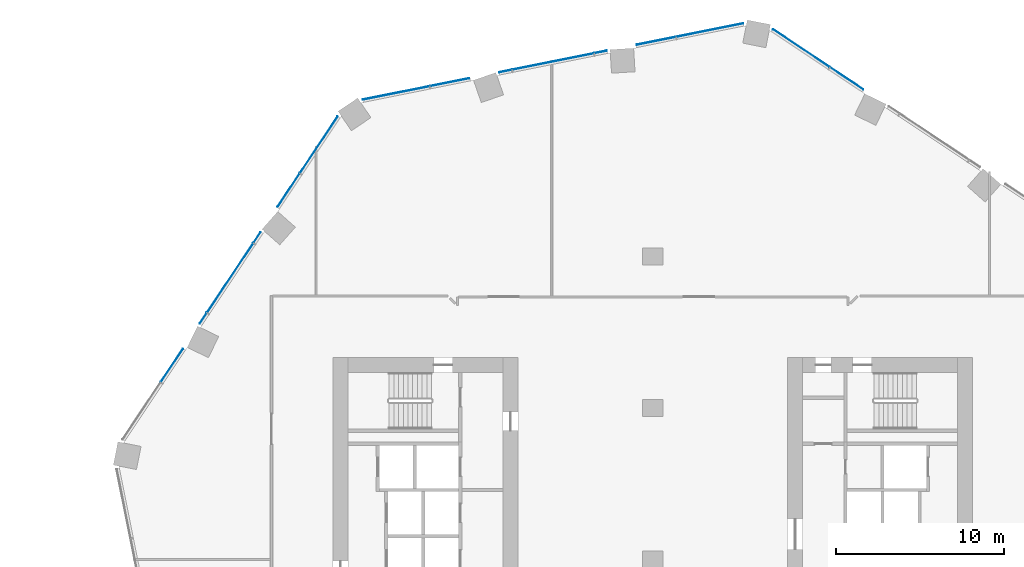
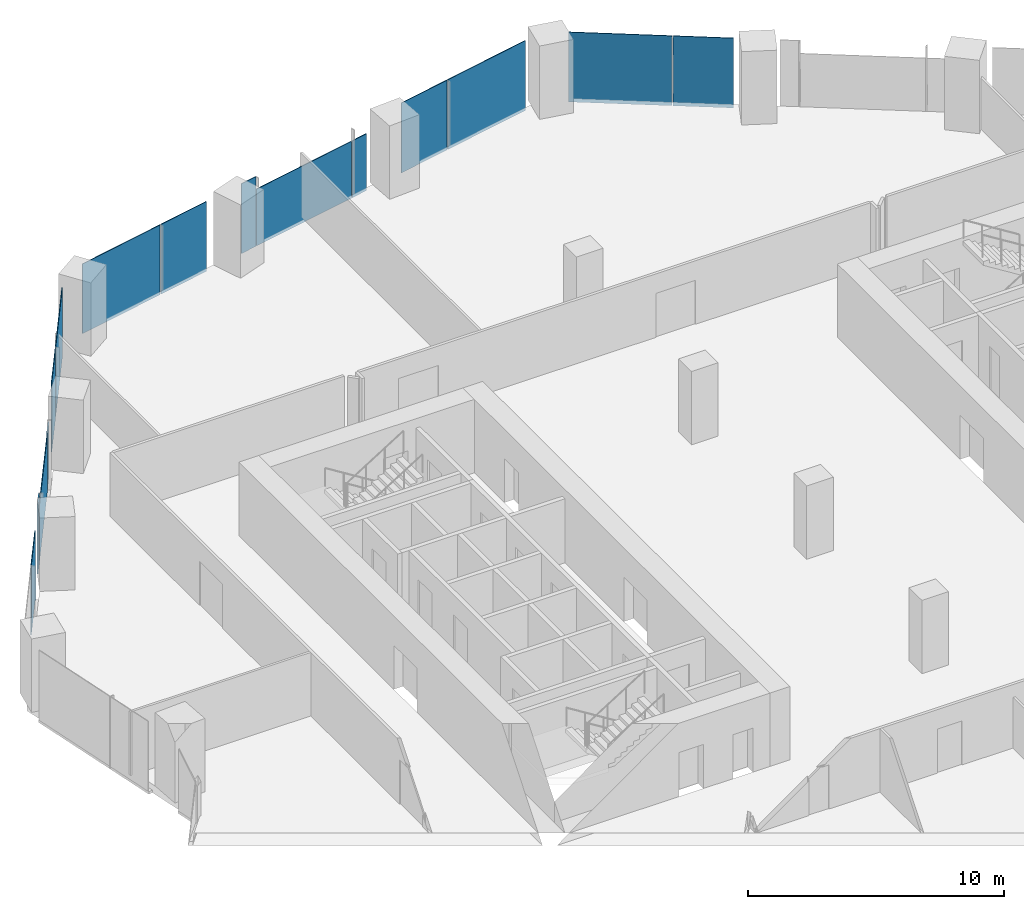
# One storey, part 24 of 38: 15 plates, 3 elements without a shape of their own.
"""IFC4 building model written with IfcOpenShell, lengths in metres."""

from ifc_helpers import new_model, si_unit, direction, frame, origin, origin_2d, place, context, subcontext, project, spatial, rectangle, extrude, material, layer, layer_set, type_object, element, aggregate, save


model = new_model("IFC4")

# Units and contexts
model_context = context("Model", 3, precision=1e-05, world=origin(), true_north=direction((0.0, 1.0)))
body_context = subcontext(model_context, "Body", "Model", "MODEL_VIEW")
ifc_project = project(units=[si_unit("LENGTHUNIT", "METRE"), si_unit("AREAUNIT", "SQUARE_METRE"), si_unit("VOLUMEUNIT", "CUBIC_METRE"), si_unit("PLANEANGLEUNIT", "RADIAN"), si_unit("MASSUNIT", "GRAM", prefix="KILO")], contexts=[model_context])

# Site, building, storey
site_placement = place(None, origin())
site = spatial("IfcSite", under=ifc_project, at=site_placement, CompositionType="ELEMENT")
building_placement = place(site_placement, origin())
building = spatial("IfcBuilding", under=site, at=building_placement, Name="Orlundy Tower", CompositionType="ELEMENT")
storey_placement = place(building_placement, frame((0.0, 0.0, 72.800048828125)))
storey = spatial("IfcBuildingStorey", under=building, at=storey_placement, Name="L17", CompositionType="ELEMENT", Elevation=72.800048828125)

# Curtain wall, plates
ifc_material_1 = material(Name="Aluminium bronze anodised", Category="aluminium")
curtain_wall_type = type_object("IfcCurtainWallType", Name="CW1 wall", PredefinedType="NOTDEFINED", material=ifc_material_1)
curtain_wall_1_placement = place(storey_placement, origin())
curtain_wall_1 = element("IfcCurtainWall", 1, at=curtain_wall_1_placement, inside=storey, type_object=curtain_wall_type, Name="CW1 run 014", PredefinedType="NOTDEFINED")
ifc_material_2 = material(Name="Tinted glass", Category="glass")
ifc_layer = layer(ifc_material_2, 0.031982421875)
ifc_layer_set = layer_set([ifc_layer], Name="CW1 glass panel 32")
plate_type = type_object("IfcPlateType", Name="CW1 glass panel 32", PredefinedType="CURTAIN_PANEL", material=ifc_layer_set)
plate_1_placement = place(storey_placement, frame((-28.57080078125, 11.5185546875, -0.280029296875), z_axis=(0.0, 0.0, 1.0), x_axis=(0.554356579774, 0.832279269513, 0.0)))
plate_1 = element("IfcPlate", 2, at=plate_1_placement, type_object=plate_type, Name="CW1 panel", PredefinedType="CURTAIN_PANEL", context=body_context, shape_type="SweptSolid", body=[
    extrude(rectangle(XDim=2.357666015625, YDim=0.031982421875, at=origin_2d()), origin(), (0.0, 0.0, 1.0), 3.330078125),
])
plate_2_placement = place(storey_placement, frame((-26.703369140625, 14.322265625, -0.280029296875), z_axis=(0.0, 0.0, 1.0), x_axis=(0.554356579774, 0.832279269513, 0.0)))
plate_2 = element("IfcPlate", 3, at=plate_2_placement, type_object=plate_type, Name="CW1 panel", PredefinedType="CURTAIN_PANEL", context=body_context, shape_type="SweptSolid", body=[
    extrude(rectangle(XDim=0.745849609375, YDim=0.031982421875, at=origin_2d()), origin(), (0.0, 0.0, 1.0), 3.330078125),
])
plate_3_placement = place(storey_placement, frame((-25.10498046875, 16.721923828125, -0.280029296875), z_axis=(0.0, 0.0, 1.0), x_axis=(0.554356579774, 0.832279269513, 0.0)))
plate_3 = element("IfcPlate", 4, at=plate_3_placement, type_object=plate_type, Name="CW1 panel", PredefinedType="CURTAIN_PANEL", context=body_context, shape_type="SweptSolid", body=[
    extrude(rectangle(XDim=4.92041015625, YDim=0.031982421875, at=origin_2d()), origin(), (0.0, 0.0, 1.0), 2.7138671875),
])
plate_4_placement = place(storey_placement, frame((-23.506591796875, 19.12158203125, -0.280029296875), z_axis=(0.0, 0.0, 1.0), x_axis=(0.554356579774, 0.832279269513, 0.0)))
plate_4 = element("IfcPlate", 5, at=plate_4_placement, type_object=plate_type, Name="CW1 panel", PredefinedType="CURTAIN_PANEL", context=body_context, shape_type="SweptSolid", body=[
    extrude(rectangle(XDim=0.74609375, YDim=0.031982421875, at=origin_2d()), origin(), (0.0, 0.0, 1.0), 2.7138671875),
])
plate_5_placement = place(storey_placement, frame((-21.63916015625, 21.92529296875, -0.280029296875), z_axis=(0.0, 0.0, 1.0), x_axis=(0.554356579774, 0.832279269513, 0.0)))
plate_5 = element("IfcPlate", 6, at=plate_5_placement, type_object=plate_type, Name="CW1 panel", PredefinedType="CURTAIN_PANEL", context=body_context, shape_type="SweptSolid", body=[
    extrude(rectangle(XDim=2.357421875, YDim=0.031982421875, at=origin_2d()), origin(), (0.0, 0.0, 1.0), 3.330078125),
])
plate_6_placement = place(storey_placement, frame((-19.83837890625, 24.629150390625, -0.280029296875), z_axis=(0.0, 0.0, 1.0), x_axis=(0.554356579774, 0.832279269513, 0.0)))
plate_6 = element("IfcPlate", 7, at=plate_6_placement, type_object=plate_type, Name="CW1 panel", PredefinedType="CURTAIN_PANEL", context=body_context, shape_type="SweptSolid", body=[
    extrude(rectangle(XDim=4.039794921875, YDim=0.031982421875, at=origin_2d()), origin(), (0.0, 0.0, 1.0), 3.330078125),
])
aggregate(curtain_wall_1, [plate_1, plate_2, plate_3, plate_4, plate_5, plate_6])

curtain_wall_2_placement = place(storey_placement, origin())
curtain_wall_2 = element("IfcCurtainWall", 8, at=curtain_wall_2_placement, inside=storey, type_object=curtain_wall_type, Name="CW1 run 015", PredefinedType="NOTDEFINED")
plate_7_placement = place(storey_placement, frame((-15.242919921875, 27.708740234375, -0.280029296875), z_axis=(0.0, 0.0, 1.0), x_axis=(0.980501672583, 0.196510737775, 0.0)))
plate_7 = element("IfcPlate", 9, at=plate_7_placement, type_object=plate_type, Name="CW1 panel", PredefinedType="CURTAIN_PANEL", context=body_context, shape_type="SweptSolid", body=[
    extrude(rectangle(XDim=4.038818359375, YDim=0.031982421875, at=origin_2d()), origin(), (0.0, 0.0, 1.0), 3.330078125),
])
plate_8_placement = place(storey_placement, frame((-12.05810546875, 28.34716796875, -0.280029296875), z_axis=(0.0, 0.0, 1.0), x_axis=(0.980501672583, 0.196510737775, 0.0)))
plate_8 = element("IfcPlate", 10, at=plate_8_placement, type_object=plate_type, Name="CW1 panel", PredefinedType="CURTAIN_PANEL", context=body_context, shape_type="SweptSolid", body=[
    extrude(rectangle(XDim=2.357421875, YDim=0.031982421875, at=origin_2d()), origin(), (0.0, 0.0, 1.0), 3.330078125),
])
plate_9_placement = place(storey_placement, frame((-8.7548828125, 29.00927734375, -0.280029296875), z_axis=(0.0, 0.0, 1.0), x_axis=(0.980501672583, 0.196510737775, 0.0)))
plate_9 = element("IfcPlate", 11, at=plate_9_placement, type_object=plate_type, Name="CW1 panel", PredefinedType="CURTAIN_PANEL", context=body_context, shape_type="SweptSolid", body=[
    extrude(rectangle(XDim=0.74609375, YDim=0.031982421875, at=origin_2d()), origin(), (0.0, 0.0, 1.0), 3.330078125),
])
plate_10_placement = place(storey_placement, frame((-5.927734375, 29.57568359375, -0.280029296875), z_axis=(0.0, 0.0, 1.0), x_axis=(0.980501672583, 0.196510737775, 0.0)))
plate_10 = element("IfcPlate", 12, at=plate_10_placement, type_object=plate_type, Name="CW1 panel", PredefinedType="CURTAIN_PANEL", context=body_context, shape_type="SweptSolid", body=[
    extrude(rectangle(XDim=4.920654296875, YDim=0.031982421875, at=origin_2d()), origin(), (0.0, 0.0, 1.0), 2.7138671875),
])
plate_11_placement = place(storey_placement, frame((-3.100341796875, 30.142333984375, -0.280029296875), z_axis=(0.0, 0.0, 1.0), x_axis=(0.980501672583, 0.196510737775, 0.0)))
plate_11 = element("IfcPlate", 13, at=plate_11_placement, type_object=plate_type, Name="CW1 panel", PredefinedType="CURTAIN_PANEL", context=body_context, shape_type="SweptSolid", body=[
    extrude(rectangle(XDim=0.746337890625, YDim=0.031982421875, at=origin_2d()), origin(), (0.0, 0.0, 1.0), 2.7138671875),
])
plate_12_placement = place(storey_placement, frame((0.202880859375, 30.804443359375, -0.280029296875), z_axis=(0.0, 0.0, 1.0), x_axis=(0.980501672583, 0.196510737775, 0.0)))
plate_12 = element("IfcPlate", 14, at=plate_12_placement, type_object=plate_type, Name="CW1 panel", PredefinedType="CURTAIN_PANEL", context=body_context, shape_type="SweptSolid", body=[
    extrude(rectangle(XDim=2.357421875, YDim=0.031982421875, at=origin_2d()), origin(), (0.0, 0.0, 1.0), 3.330078125),
])
plate_13_placement = place(storey_placement, frame((3.3876953125, 31.44287109375, -0.280029296875), z_axis=(0.0, 0.0, 1.0), x_axis=(0.980501672583, 0.196510737775, 0.0)))
plate_13 = element("IfcPlate", 15, at=plate_13_placement, type_object=plate_type, Name="CW1 panel", PredefinedType="CURTAIN_PANEL", context=body_context, shape_type="SweptSolid", body=[
    extrude(rectangle(XDim=4.039306640625, YDim=0.031982421875, at=origin_2d()), origin(), (0.0, 0.0, 1.0), 3.330078125),
])
aggregate(curtain_wall_2, [plate_7, plate_8, plate_9, plate_10, plate_11, plate_12, plate_13])

curtain_wall_3_placement = place(storey_placement, origin())
curtain_wall_3 = element("IfcCurtainWall", 16, at=curtain_wall_3_placement, inside=storey, type_object=curtain_wall_type, Name="CW1 run 016", PredefinedType="NOTDEFINED")
plate_14_placement = place(storey_placement, frame((8.81494140625, 30.37158203125, -0.280029296875), z_axis=(0.0, 0.0, 1.0), x_axis=(0.832279269513, -0.554356579774, 0.0)))
plate_14 = element("IfcPlate", 17, at=plate_14_placement, type_object=plate_type, Name="CW1 panel", PredefinedType="CURTAIN_PANEL", context=body_context, shape_type="SweptSolid", body=[
    extrude(rectangle(XDim=4.03955078125, YDim=0.031982421875, at=origin_2d()), origin(), (0.0, 0.0, 1.0), 3.330078125),
])
plate_15_placement = place(storey_placement, frame((11.5185546875, 28.57080078125, -0.280029296875), z_axis=(0.0, 0.0, 1.0), x_axis=(0.832279269513, -0.554356579774, 0.0)))
plate_15 = element("IfcPlate", 18, at=plate_15_placement, type_object=plate_type, Name="CW1 panel", PredefinedType="CURTAIN_PANEL", context=body_context, shape_type="SweptSolid", body=[
    extrude(rectangle(XDim=2.357666015625, YDim=0.031982421875, at=origin_2d()), origin(), (0.0, 0.0, 1.0), 3.330078125),
])
aggregate(curtain_wall_3, [plate_14, plate_15])

save(model, "model.ifc")
